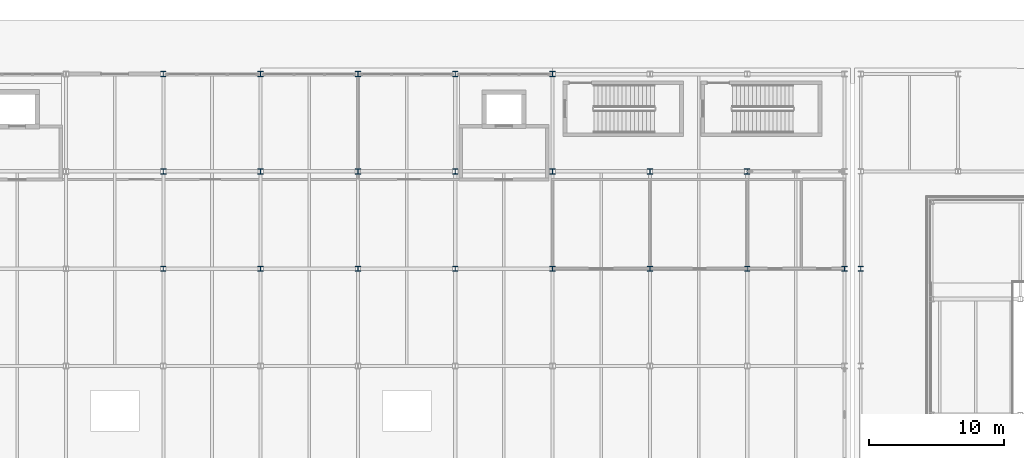
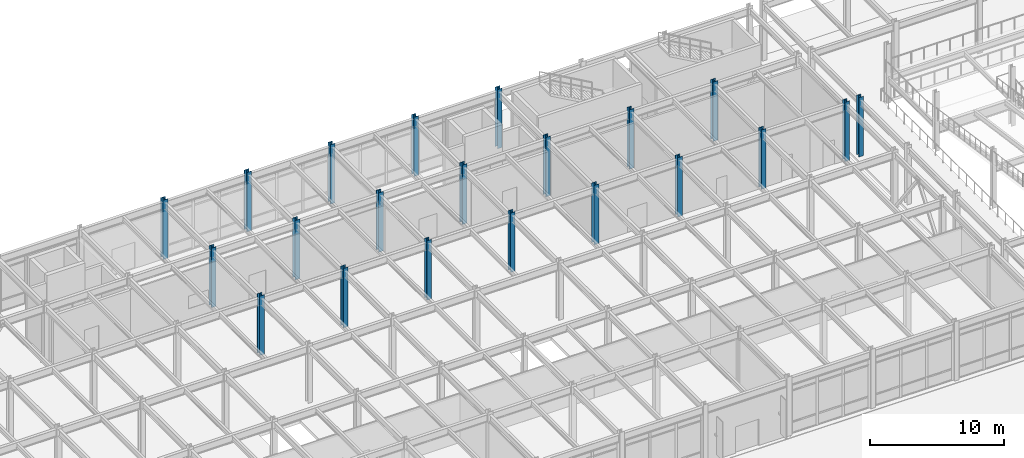
# One storey, part 10 of 104: 21 columns.
"""IFC4 building model written with IfcOpenShell, lengths in metres."""

from ifc_helpers import new_model, si_unit, direction, frame, origin, origin_2d, place, context, subcontext, project, spatial, i_section, extrude, material, material_profile, profile_set, type_object, element, save


model = new_model("IFC4")

# Units and contexts
model_context = context("Model", 3, precision=1e-05, world=origin(), true_north=direction((0.0, 1.0)))
body_context = subcontext(model_context, "Body", "Model", "MODEL_VIEW")
ifc_project = project(units=[si_unit("LENGTHUNIT", "METRE"), si_unit("AREAUNIT", "SQUARE_METRE"), si_unit("VOLUMEUNIT", "CUBIC_METRE"), si_unit("PLANEANGLEUNIT", "RADIAN"), si_unit("MASSUNIT", "GRAM", prefix="KILO")], contexts=[model_context])

# Site, building, storey
site_placement = place(None, origin())
site = spatial("IfcSite", under=ifc_project, at=site_placement, CompositionType="ELEMENT")
building_placement = place(site_placement, origin())
building = spatial("IfcBuilding", under=site, at=building_placement, Name="Vaelcorin Mobility Hub", CompositionType="ELEMENT")
storey_placement = place(building_placement, origin())
storey = spatial("IfcBuildingStorey", under=building, at=storey_placement, Name="L00", CompositionType="ELEMENT", Elevation=0.0)

# Columns
ifc_material = material(Name="Steel ASTM A992 Grade 50", Category="steel")
ifc_material_profile_1 = material_profile(ifc_material, i_section(OverallWidth=0.39599609375, OverallDepth=0.381103515625, WebThickness=0.018798828125, FlangeThickness=0.0302734375, FilletRadius=0.014892578125, at=origin_2d()), Name="W14X159")
ifc_profile_set_1 = profile_set([ifc_material_profile_1], Name="Steel ASTM A992 Grade 50")
column_type_1 = type_object("IfcColumnType", Name="COL-W14X159", PredefinedType="COLUMN", material=ifc_profile_set_1)
column_placement = place(storey_placement, frame((123.60009765625, 105.60009765625, 0.0), z_axis=(0.0, 0.0, 1.0), x_axis=(1.0, 0.0, 0.0)))
element("IfcColumn", 1, at=column_placement, inside=storey, type_object=column_type_1, Name="Column V2E-G1x5 L00", PredefinedType="COLUMN", context=body_context, shape_type="SweptSolid", body=[
    extrude(i_section(OverallWidth=0.39599609375, OverallDepth=0.381103515625, WebThickness=0.018798828125, FlangeThickness=0.0302734375, FilletRadius=0.014892578125, at=origin_2d()), origin(), (0.0, 0.0, 1.0), 5.39990234375),
])
ifc_material_profile_2 = material_profile(ifc_material, i_section(OverallWidth=0.39892578125, OverallDepth=0.39404296875, WebThickness=0.022705078125, FlangeThickness=0.03662109375, FilletRadius=0.014892578125, at=origin_2d()), Name="W14X193")
ifc_profile_set_2 = profile_set([ifc_material_profile_2], Name="Steel ASTM A992 Grade 50")
column_type_2 = type_object("IfcColumnType", Name="COL-W14X193", PredefinedType="COLUMN", material=ifc_profile_set_2)
for number, where, z_axis, x_axis, name in (
    (2, (72.0, 105.60009765625, 0.0), (0.0, 0.0, 1.0), (1.0, 0.0, 0.0), "Column V4-X06Y05 L00"),
    (3, (72.0, 120.0, 0.0), (0.0, 0.0, 1.0), (1.0, 0.0, 0.0), "Column V4-X06Y07 L00"),
    (4, (79.199951171875, 105.60009765625, 0.0), (0.0, 0.0, 1.0), (1.0, 0.0, 0.0), "Column V4-X07Y05 L00"),
    (5, (79.199951171875, 120.0, 0.0), (0.0, 0.0, 1.0), (1.0, 0.0, 0.0), "Column V4-X07Y07 L00"),
    (6, (86.39990234375, 105.60009765625, 0.0), (0.0, 0.0, 1.0), (1.0, 0.0, 0.0), "Column V4-X08Y05 L00"),
    (7, (86.39990234375, 120.0, 0.0), (0.0, 0.0, 1.0), (1.0, 0.0, 0.0), "Column V4-X08Y07 L00"),
    (8, (93.60009765625, 105.60009765625, 0.0), (0.0, 0.0, 1.0), (1.0, 0.0, 0.0), "Column V4-X09Y05 L00"),
    (9, (93.60009765625, 120.0, 0.0), (0.0, 0.0, 1.0), (1.0, 0.0, 0.0), "Column V4-X09Y07 L00"),
    (10, (100.800048828125, 105.60009765625, 0.0), (0.0, 0.0, 1.0), (1.0, 0.0, 0.0), "Column V4-X10Y05 L00"),
    (11, (100.800048828125, 120.0, 0.0), (0.0, 0.0, 1.0), (1.0, 0.0, 0.0), "Column V4-X10Y07 L00"),
    (12, (108.0, 105.60009765625, 0.0), (0.0, 0.0, 1.0), (1.0, 0.0, 0.0), "Column V4-X11Y05 L00"),
    (13, (115.199951171875, 105.60009765625, 0.0), (0.0, 0.0, 1.0), (1.0, 0.0, 0.0), "Column V4-X12Y05 L00"),
    (14, (122.39990234375, 105.60009765625, 0.0), (0.0, 0.0, 1.0), (1.0, 0.0, 0.0), "Column V4-X13Y05 L00"),
):
    element("IfcColumn", number, at=place(storey_placement, frame(where, z_axis=z_axis, x_axis=x_axis)), inside=storey, type_object=column_type_2, Name=name, PredefinedType="COLUMN", context=body_context, shape_type="SweptSolid", body=[
        extrude(i_section(OverallWidth=0.39892578125, OverallDepth=0.39404296875, WebThickness=0.022705078125, FlangeThickness=0.03662109375, FilletRadius=0.014892578125, at=origin_2d()), origin(), (0.0, 0.0, 1.0), 5.39990234375),
    ])
ifc_material_profile_3 = material_profile(ifc_material, i_section(OverallWidth=0.404052734375, OverallDepth=0.406005859375, WebThickness=0.027099609375, FlangeThickness=0.043701171875, FilletRadius=0.014892578125, at=origin_2d()), Name="W14X233")
ifc_profile_set_3 = profile_set([ifc_material_profile_3], Name="Steel ASTM A992 Grade 50")
column_type_3 = type_object("IfcColumnType", Name="COL-W14X233", PredefinedType="COLUMN", material=ifc_profile_set_3)
for number, where, z_axis, x_axis, name in (
    (15, (72.0, 112.800048828125, 0.0), (0.0, 0.0, 1.0), (1.0, 0.0, 0.0), "Column V4-X06Y06 L00"),
    (16, (79.199951171875, 112.800048828125, 0.0), (0.0, 0.0, 1.0), (1.0, 0.0, 0.0), "Column V4-X07Y06 L00"),
    (17, (86.39990234375, 112.800048828125, 0.0), (0.0, 0.0, 1.0), (1.0, 0.0, 0.0), "Column V4-X08Y06 L00"),
    (18, (93.60009765625, 112.800048828125, 0.0), (0.0, 0.0, 1.0), (1.0, 0.0, 0.0), "Column V4-X09Y06 L00"),
    (19, (100.800048828125, 112.800048828125, 0.0), (0.0, 0.0, 1.0), (1.0, 0.0, 0.0), "Column V4-X10Y06 L00"),
    (20, (108.0, 112.800048828125, 0.0), (0.0, 0.0, 1.0), (1.0, 0.0, 0.0), "Column V4-X11Y06 L00"),
    (21, (115.199951171875, 112.800048828125, 0.0), (0.0, 0.0, 1.0), (1.0, 0.0, 0.0), "Column V4-X12Y06 L00"),
):
    element("IfcColumn", number, at=place(storey_placement, frame(where, z_axis=z_axis, x_axis=x_axis)), inside=storey, type_object=column_type_3, Name=name, PredefinedType="COLUMN", context=body_context, shape_type="SweptSolid", body=[
        extrude(i_section(OverallWidth=0.404052734375, OverallDepth=0.406005859375, WebThickness=0.027099609375, FlangeThickness=0.043701171875, FilletRadius=0.014892578125, at=origin_2d()), origin(), (0.0, 0.0, 1.0), 5.39990234375),
    ])

save(model, "model.ifc")
